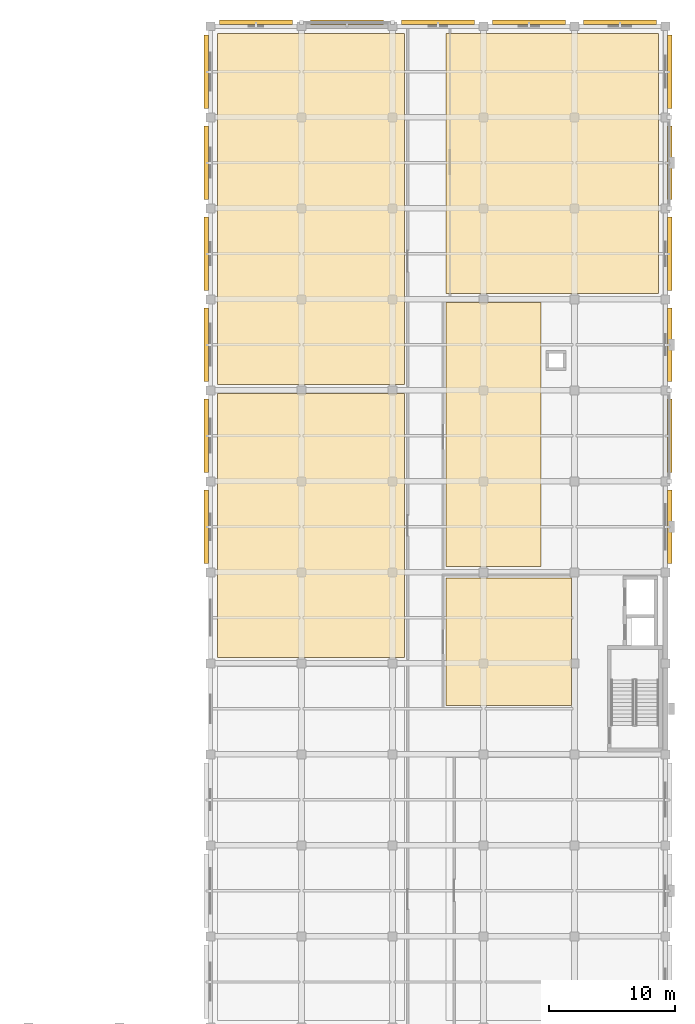
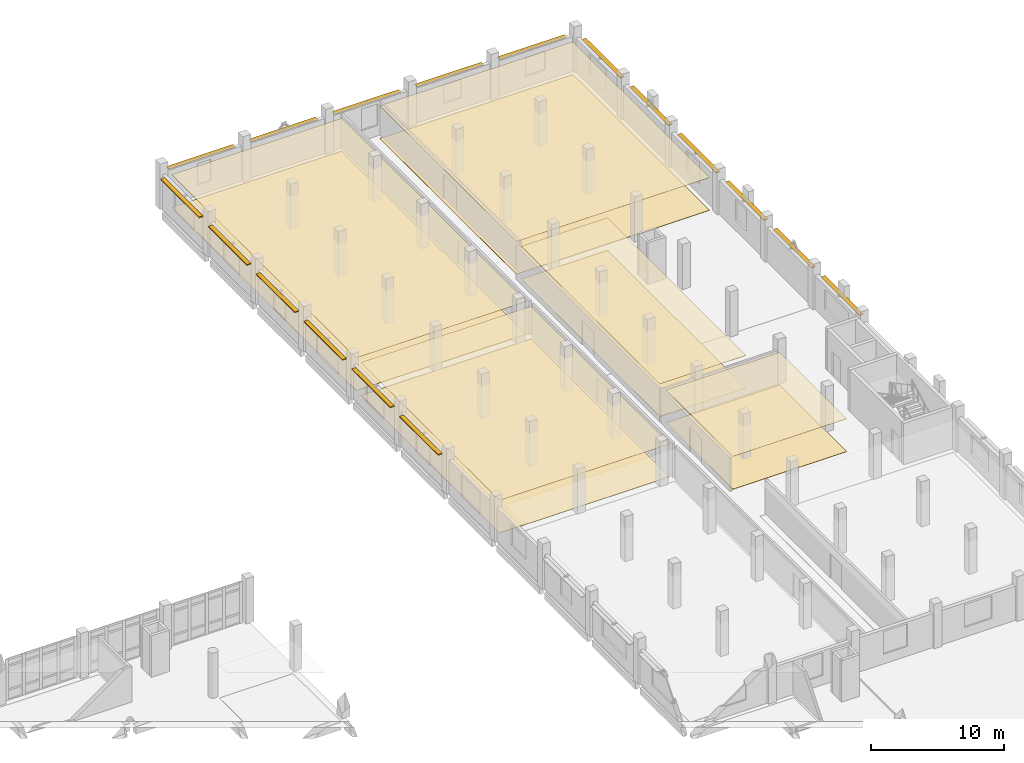
# One storey, part 57 of 57: 17 shading devices, 10 coverings.
"""IFC4 building model written with IfcOpenShell, lengths in metres."""

from ifc_helpers import new_model, si_unit, direction, frame, origin, origin_2d, place, context, subcontext, project, spatial, polyline, rectangle, outline, extrude, material, layer, layer_set, type_object, element, save


model = new_model("IFC4")

# Units and contexts
model_context = context("Model", 3, precision=1e-05, world=origin(), true_north=direction((0.0, 1.0)))
body_context = subcontext(model_context, "Body", "Model", "MODEL_VIEW")
ifc_project = project(units=[si_unit("LENGTHUNIT", "METRE"), si_unit("AREAUNIT", "SQUARE_METRE"), si_unit("VOLUMEUNIT", "CUBIC_METRE"), si_unit("PLANEANGLEUNIT", "RADIAN"), si_unit("MASSUNIT", "GRAM", prefix="KILO")], contexts=[model_context])

# Site, building, storey
site_placement = place(None, origin())
site = spatial("IfcSite", under=ifc_project, at=site_placement, CompositionType="ELEMENT")
building_placement = place(site_placement, origin())
building = spatial("IfcBuilding", under=site, at=building_placement, Name="Valkovuoma Quantum and Materials Research Institute", CompositionType="ELEMENT")
storey_placement = place(building_placement, frame((0.0, 0.0, 4.800048828125)))
storey = spatial("IfcBuildingStorey", under=building, at=storey_placement, Name="L01", CompositionType="ELEMENT", Elevation=4.800048828125)

# Coverings
ifc_material_1 = material(Name="Cleanable acoustic mineral-fibre suspended ceiling", Category="masonry")
ifc_layer_1 = layer(ifc_material_1, 0.02490234375)
ifc_layer_set_1 = layer_set([ifc_layer_1], Name="Cleanable acoustic mineral-fibre suspended ceiling")
covering_type_1 = type_object("IfcCoveringType", Name="Cov-CEIL-01", PredefinedType="CEILING", material=ifc_layer_set_1)
covering_1_placement = place(storey_placement, frame((0.0, 0.0, 3.0)))
element("IfcCovering", 1, at=covering_1_placement, inside=storey, type_object=covering_type_1, Name="L01 acoustic ceiling 0047", PredefinedType="CEILING", context=body_context, shape_type="SweptSolid", body=[
    extrude(outline(polyline([(130.14990234375, 65.25), (144.949951171875, 65.25), (144.949951171875, 86.14990234375), (130.14990234375, 86.14990234375), (130.14990234375, 65.25)])), origin(), (0.0, 0.0, 1.0), 0.02490234375),
])
covering_2_placement = place(storey_placement, frame((0.0, 0.0, 3.0)))
element("IfcCovering", 2, at=covering_2_placement, inside=storey, type_object=covering_type_1, Name="L01 acoustic ceiling 0048", PredefinedType="CEILING", context=body_context, shape_type="SweptSolid", body=[
    extrude(outline(polyline([(130.14990234375, 86.85009765625), (144.949951171875, 86.85009765625), (144.949951171875, 114.64990234375), (130.14990234375, 114.64990234375), (130.14990234375, 86.85009765625)])), origin(), (0.0, 0.0, 1.0), 0.02490234375),
])
covering_3_placement = place(storey_placement, frame((0.0, 0.0, 3.0)))
element("IfcCovering", 3, at=covering_3_placement, inside=storey, type_object=covering_type_1, Name="L01 acoustic ceiling 0050", PredefinedType="CEILING", context=body_context, shape_type="SweptSolid", body=[
    extrude(outline(polyline([(148.25, 61.449951171875), (158.14990234375, 61.449951171875), (158.14990234375, 71.550048828125), (148.25, 71.550048828125), (148.25, 61.449951171875)])), origin(), (0.0, 0.0, 1.0), 0.02490234375),
])
covering_4_placement = place(storey_placement, frame((0.0, 0.0, 3.0)))
element("IfcCovering", 4, at=covering_4_placement, inside=storey, type_object=covering_type_1, Name="L01 acoustic ceiling 0051", PredefinedType="CEILING", context=body_context, shape_type="SweptSolid", body=[
    extrude(outline(polyline([(148.25, 72.449951171875), (155.75, 72.449951171875), (155.75, 93.35009765625), (148.25, 93.35009765625), (148.25, 72.449951171875)])), origin(), (0.0, 0.0, 1.0), 0.02490234375),
])
covering_5_placement = place(storey_placement, frame((0.0, 0.0, 3.0)))
element("IfcCovering", 5, at=covering_5_placement, inside=storey, type_object=covering_type_1, Name="L01 acoustic ceiling 0052", PredefinedType="CEILING", context=body_context, shape_type="SweptSolid", body=[
    extrude(outline(polyline([(148.25, 94.050048828125), (165.050048828125, 94.050048828125), (165.050048828125, 114.64990234375), (148.25, 114.64990234375), (148.25, 94.050048828125)])), origin(), (0.0, 0.0, 1.0), 0.02490234375),
])
ifc_material_2 = material(Name="Seamless dissipative laboratory resin flooring", Category="masonry")
ifc_layer_2 = layer(ifc_material_2, 0.014892578125)
ifc_layer_set_2 = layer_set([ifc_layer_2], Name="Seamless dissipative laboratory resin flooring")
covering_type_2 = type_object("IfcCoveringType", Name="Cov-FLOR-01", PredefinedType="FLOORING", material=ifc_layer_set_2)
covering_6_placement = place(storey_placement, origin())
element("IfcCovering", 6, at=covering_6_placement, inside=storey, type_object=covering_type_2, Name="L01 resin flooring 0047", PredefinedType="FLOORING", context=body_context, shape_type="SweptSolid", body=[
    extrude(outline(polyline([(130.14990234375, 65.25), (144.949951171875, 65.25), (144.949951171875, 86.14990234375), (130.14990234375, 86.14990234375), (130.14990234375, 65.25)])), origin(), (0.0, 0.0, 1.0), 0.014892578125),
])
covering_7_placement = place(storey_placement, origin())
element("IfcCovering", 7, at=covering_7_placement, inside=storey, type_object=covering_type_2, Name="L01 resin flooring 0048", PredefinedType="FLOORING", context=body_context, shape_type="SweptSolid", body=[
    extrude(outline(polyline([(130.14990234375, 86.85009765625), (144.949951171875, 86.85009765625), (144.949951171875, 114.64990234375), (130.14990234375, 114.64990234375), (130.14990234375, 86.85009765625)])), origin(), (0.0, 0.0, 1.0), 0.014892578125),
])
covering_8_placement = place(storey_placement, origin())
element("IfcCovering", 8, at=covering_8_placement, inside=storey, type_object=covering_type_2, Name="L01 resin flooring 0050", PredefinedType="FLOORING", context=body_context, shape_type="SweptSolid", body=[
    extrude(outline(polyline([(148.25, 61.449951171875), (158.14990234375, 61.449951171875), (158.14990234375, 71.550048828125), (148.25, 71.550048828125), (148.25, 61.449951171875)])), origin(), (0.0, 0.0, 1.0), 0.014892578125),
])
covering_9_placement = place(storey_placement, origin())
element("IfcCovering", 9, at=covering_9_placement, inside=storey, type_object=covering_type_2, Name="L01 resin flooring 0051", PredefinedType="FLOORING", context=body_context, shape_type="SweptSolid", body=[
    extrude(outline(polyline([(148.25, 72.449951171875), (155.75, 72.449951171875), (155.75, 93.35009765625), (148.25, 93.35009765625), (148.25, 72.449951171875)])), origin(), (0.0, 0.0, 1.0), 0.014892578125),
])
covering_10_placement = place(storey_placement, origin())
element("IfcCovering", 10, at=covering_10_placement, inside=storey, type_object=covering_type_2, Name="L01 resin flooring 0052", PredefinedType="FLOORING", context=body_context, shape_type="SweptSolid", body=[
    extrude(outline(polyline([(148.25, 94.050048828125), (165.050048828125, 94.050048828125), (165.050048828125, 114.64990234375), (148.25, 114.64990234375), (148.25, 94.050048828125)])), origin(), (0.0, 0.0, 1.0), 0.014892578125),
])

# Shading devices
ifc_material_3 = material(Name="Powder-coated white perforated architectural aluminium panel", Category="aluminium")
ifc_layer_3 = layer(ifc_material_3, 0.050048828125)
ifc_layer_set_3 = layer_set([ifc_layer_3], Name="Powder-coated white perforated architectural aluminium panel")
shading_device_type_1 = type_object("IfcShadingDeviceType", Name="Screen-SCR-DENSE", PredefinedType="JALOUSIE", material=ifc_layer_set_3)
for number, where, z_axis, x_axis, name in (
    (11, (165.919921875, 82.800048828125, 3.010009765625), (0.0, 0.0, 1.0), (1.0, 0.0, 0.0), "L01 wet-lab solar sunshade E-0009"),
    (12, (129.280029296875, 82.800048828125, 3.010009765625), (0.0, 0.0, 1.0), (1.0, 0.0, 0.0), "L01 wet-lab solar sunshade W-0010"),
    (13, (165.919921875, 104.39990234375, 3.010009765625), (0.0, 0.0, 1.0), (1.0, 0.0, 0.0), "L01 wet-lab solar sunshade E-0015"),
    (14, (129.280029296875, 104.39990234375, 3.010009765625), (0.0, 0.0, 1.0), (1.0, 0.0, 0.0), "L01 wet-lab solar sunshade W-0016"),
):
    element("IfcShadingDevice", number, at=place(storey_placement, frame(where, z_axis=z_axis, x_axis=x_axis)), inside=storey, type_object=shading_device_type_1, Name=name, PredefinedType="JALOUSIE", context=body_context, shape_type="SweptSolid", body=[
        extrude(rectangle(XDim=0.360107421875, YDim=5.800048828125, at=origin_2d()), origin(), (0.0, 0.0, 1.0), 0.080078125),
    ])
shading_device_placement = place(storey_placement, frame((147.60009765625, 115.52001953125, 3.010009765625), z_axis=(0.0, 0.0, 1.0), x_axis=(1.0, 0.0, 0.0)))
element("IfcShadingDevice", 15, at=shading_device_placement, inside=storey, type_object=shading_device_type_1, Name="L01 wet-lab north sunshade 0021", PredefinedType="JALOUSIE", context=body_context, shape_type="SweptSolid", body=[
    extrude(rectangle(XDim=5.800048828125, YDim=0.360107421875, at=origin_2d()), origin(), (0.0, 0.0, 1.0), 0.080078125),
])
ifc_material_4 = material(Name="Powder-coated white perforated architectural aluminium panel", Category="aluminium")
ifc_layer_4 = layer(ifc_material_4, 0.050048828125)
ifc_layer_set_4 = layer_set([ifc_layer_4], Name="Powder-coated white perforated architectural aluminium panel")
shading_device_type_2 = type_object("IfcShadingDeviceType", Name="Screen-SCR-MID", PredefinedType="JALOUSIE", material=ifc_layer_set_4)
for number, where, z_axis, x_axis, name in (
    (16, (165.919921875, 90.0, 3.010009765625), (0.0, 0.0, 1.0), (1.0, 0.0, 0.0), "L01 wet-lab solar sunshade E-0011"),
    (17, (129.280029296875, 90.0, 3.010009765625), (0.0, 0.0, 1.0), (1.0, 0.0, 0.0), "L01 wet-lab solar sunshade W-0012"),
    (18, (165.919921875, 111.60009765625, 3.010009765625), (0.0, 0.0, 1.0), (1.0, 0.0, 0.0), "L01 wet-lab solar sunshade E-0017"),
    (19, (129.280029296875, 111.60009765625, 3.010009765625), (0.0, 0.0, 1.0), (1.0, 0.0, 0.0), "L01 wet-lab solar sunshade W-0018"),
):
    element("IfcShadingDevice", number, at=place(storey_placement, frame(where, z_axis=z_axis, x_axis=x_axis)), inside=storey, type_object=shading_device_type_2, Name=name, PredefinedType="JALOUSIE", context=body_context, shape_type="SweptSolid", body=[
        extrude(rectangle(XDim=0.360107421875, YDim=5.800048828125, at=origin_2d()), origin(), (0.0, 0.0, 1.0), 0.080078125),
    ])
for number, where, z_axis, x_axis, name in (
    (20, (133.199951171875, 115.52001953125, 3.010009765625), (0.0, 0.0, 1.0), (1.0, 0.0, 0.0), "L01 wet-lab north sunshade 0019"),
    (21, (154.800048828125, 115.52001953125, 3.010009765625), (0.0, 0.0, 1.0), (1.0, 0.0, 0.0), "L01 wet-lab north sunshade 0022"),
):
    element("IfcShadingDevice", number, at=place(storey_placement, frame(where, z_axis=z_axis, x_axis=x_axis)), inside=storey, type_object=shading_device_type_2, Name=name, PredefinedType="JALOUSIE", context=body_context, shape_type="SweptSolid", body=[
        extrude(rectangle(XDim=5.800048828125, YDim=0.360107421875, at=origin_2d()), origin(), (0.0, 0.0, 1.0), 0.080078125),
    ])
ifc_material_5 = material(Name="Powder-coated white perforated architectural aluminium panel", Category="aluminium")
ifc_layer_5 = layer(ifc_material_5, 0.050048828125)
ifc_layer_set_5 = layer_set([ifc_layer_5], Name="Powder-coated white perforated architectural aluminium panel")
shading_device_type_3 = type_object("IfcShadingDeviceType", Name="Screen-SCR-SPARSE", PredefinedType="JALOUSIE", material=ifc_layer_set_5)
for number, where, z_axis, x_axis, name in (
    (22, (165.919921875, 75.60009765625, 3.010009765625), (0.0, 0.0, 1.0), (1.0, 0.0, 0.0), "L01 wet-lab solar sunshade E-0007"),
    (23, (129.280029296875, 75.60009765625, 3.010009765625), (0.0, 0.0, 1.0), (1.0, 0.0, 0.0), "L01 wet-lab solar sunshade W-0008"),
    (24, (165.919921875, 97.199951171875, 3.010009765625), (0.0, 0.0, 1.0), (1.0, 0.0, 0.0), "L01 wet-lab solar sunshade E-0013"),
    (25, (129.280029296875, 97.199951171875, 3.010009765625), (0.0, 0.0, 1.0), (1.0, 0.0, 0.0), "L01 wet-lab solar sunshade W-0014"),
):
    element("IfcShadingDevice", number, at=place(storey_placement, frame(where, z_axis=z_axis, x_axis=x_axis)), inside=storey, type_object=shading_device_type_3, Name=name, PredefinedType="JALOUSIE", context=body_context, shape_type="SweptSolid", body=[
        extrude(rectangle(XDim=0.360107421875, YDim=5.800048828125, at=origin_2d()), origin(), (0.0, 0.0, 1.0), 0.080078125),
    ])
for number, where, z_axis, x_axis, name in (
    (26, (140.39990234375, 115.52001953125, 3.010009765625), (0.0, 0.0, 1.0), (1.0, 0.0, 0.0), "L01 wet-lab north sunshade 0020"),
    (27, (162.0, 115.52001953125, 3.010009765625), (0.0, 0.0, 1.0), (1.0, 0.0, 0.0), "L01 wet-lab north sunshade 0023"),
):
    element("IfcShadingDevice", number, at=place(storey_placement, frame(where, z_axis=z_axis, x_axis=x_axis)), inside=storey, type_object=shading_device_type_3, Name=name, PredefinedType="JALOUSIE", context=body_context, shape_type="SweptSolid", body=[
        extrude(rectangle(XDim=5.800048828125, YDim=0.360107421875, at=origin_2d()), origin(), (0.0, 0.0, 1.0), 0.080078125),
    ])

save(model, "model.ifc")
